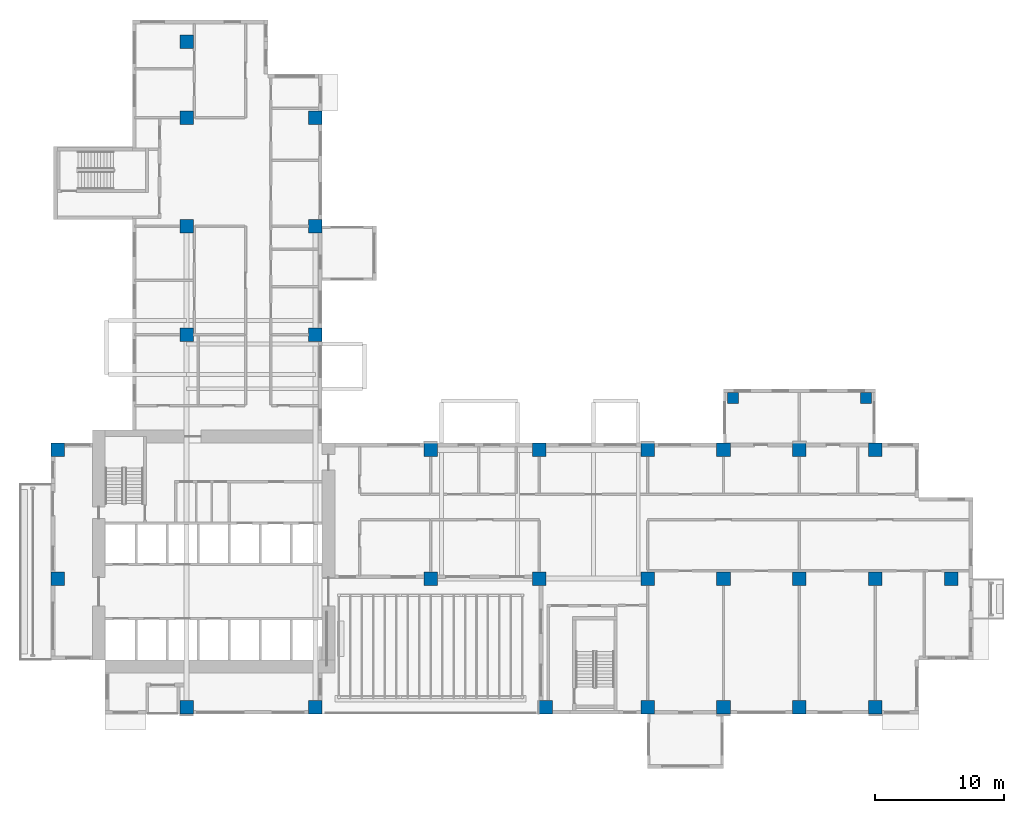
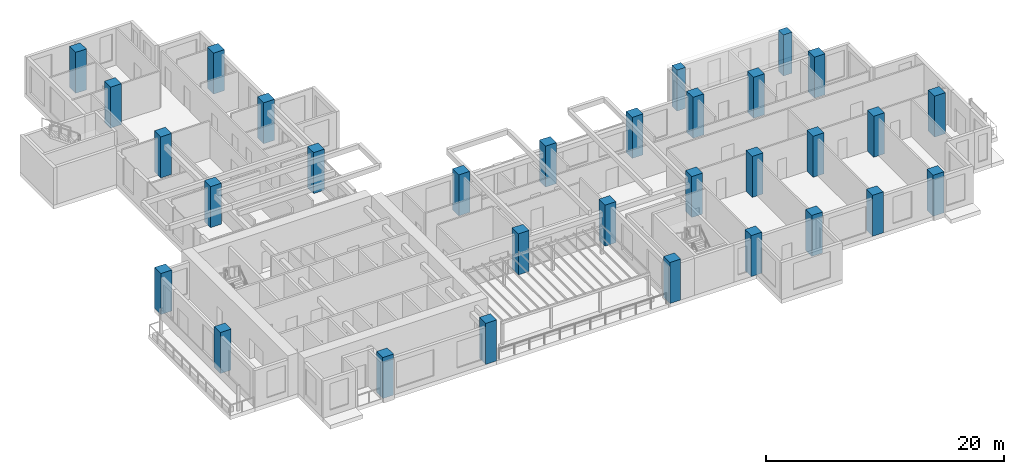
# One storey, part 1 of 15: 31 columns.
"""IFC4 building model written with IfcOpenShell, lengths in metres."""

from ifc_helpers import new_model, si_unit, direction, frame, origin, origin_2d, place, context, subcontext, project, spatial, rectangle, extrude, source, transform, mapped, material, material_profile, profile_set, type_object, element, save


model = new_model("IFC4")

# Units and contexts
model_context = context("Model", 3, precision=1e-05, world=origin(), true_north=direction((0.0, 1.0)))
body_context = subcontext(model_context, "Body", "Model", "MODEL_VIEW")
ifc_project = project(units=[si_unit("LENGTHUNIT", "METRE"), si_unit("AREAUNIT", "SQUARE_METRE"), si_unit("VOLUMEUNIT", "CUBIC_METRE"), si_unit("PLANEANGLEUNIT", "RADIAN"), si_unit("MASSUNIT", "GRAM", prefix="KILO")], contexts=[model_context])

# Site, building, storey
site_placement = place(None, origin())
site = spatial("IfcSite", under=ifc_project, at=site_placement, CompositionType="ELEMENT")
building_placement = place(site_placement, origin())
building = spatial("IfcBuilding", under=site, at=building_placement, Name="Aurelian Terraces", CompositionType="ELEMENT")
storey_placement = place(building_placement, frame((0.0, 0.0, 145.5)))
storey = spatial("IfcBuildingStorey", under=building, at=storey_placement, Name="L32", CompositionType="ELEMENT", Elevation=145.5)

# Columns
ifc_material_1 = material(Name="Concrete fc' 83 MPa", Category="concrete")
ifc_material_profile_1 = material_profile(ifc_material_1, rectangle(XDim=1.05, YDim=1.05, at=origin_2d()))
ifc_profile_set_1 = profile_set([ifc_material_profile_1], Name="Concrete fc' 83 MPa")
column_type_1 = type_object("IfcColumnType", Name="RC COLUMN 1050X1050 FC83", PredefinedType="COLUMN", material=ifc_profile_set_1)
shared_shape_1 = source(origin(), body_context, "Body", "SweptSolid", [
    extrude(rectangle(XDim=1.05, YDim=1.05, at=origin_2d()), origin(), (0.0, 0.0, 1.0), 4.2),
])
for number, where, z_axis, x_axis, name in (
    (1, (10.5, 0.525, 0.0), (0.0, 0.0, 1.0), (1.0, 0.0, 0.0), "Column 2/A L32"),
    (2, (20.475, 0.525, 0.0), (0.0, 0.0, 1.0), (1.0, 0.0, 0.0), "Column 3/A L32"),
    (3, (38.325, 0.525, 0.0), (0.0, 0.0, 1.0), (1.0, 0.0, 0.0), "Column 5/A L32"),
    (4, (46.2, 0.525, 0.0), (0.0, 0.0, 1.0), (1.0, 0.0, 0.0), "Column 6/A L32"),
    (5, (52.08, 0.525, 0.0), (0.0, 0.0, 1.0), (1.0, 0.0, 0.0), "Column 7/A L32"),
    (6, (57.96, 0.525, 0.0), (0.0, 0.0, 1.0), (1.0, 0.0, 0.0), "Column 8/A L32"),
    (7, (63.84, 0.525, 0.0), (0.0, 0.0, 1.0), (1.0, 0.0, 0.0), "Column 9/A L32"),
    (8, (0.525, 10.5, 0.0), (0.0, 0.0, 1.0), (1.0, 0.0, 0.0), "Column 1/B L32"),
    (9, (29.4, 10.5, 0.0), (0.0, 0.0, 1.0), (1.0, 0.0, 0.0), "Column 4/B L32"),
    (10, (37.8, 10.5, 0.0), (0.0, 0.0, 1.0), (1.0, 0.0, 0.0), "Column 5/B L32"),
    (11, (46.2, 10.5, 0.0), (0.0, 0.0, 1.0), (1.0, 0.0, 0.0), "Column 6/B L32"),
    (12, (52.08, 10.5, 0.0), (0.0, 0.0, 1.0), (1.0, 0.0, 0.0), "Column 7/B L32"),
    (13, (57.96, 10.5, 0.0), (0.0, 0.0, 1.0), (1.0, 0.0, 0.0), "Column 8/B L32"),
    (14, (63.84, 10.5, 0.0), (0.0, 0.0, 1.0), (1.0, 0.0, 0.0), "Column 9/B L32"),
    (15, (69.72, 10.5, 0.0), (0.0, 0.0, 1.0), (1.0, 0.0, 0.0), "Column 10/B L32"),
    (16, (0.525, 20.475, 0.0), (0.0, 0.0, 1.0), (1.0, 0.0, 0.0), "Column 1/C L32"),
    (17, (29.4, 20.475, 0.0), (0.0, 0.0, 1.0), (1.0, 0.0, 0.0), "Column 4/C L32"),
    (18, (37.8, 20.475, 0.0), (0.0, 0.0, 1.0), (1.0, 0.0, 0.0), "Column 5/C L32"),
    (19, (46.2, 20.475, 0.0), (0.0, 0.0, 1.0), (1.0, 0.0, 0.0), "Column 6/C L32"),
    (20, (52.08, 20.475, 0.0), (0.0, 0.0, 1.0), (1.0, 0.0, 0.0), "Column 7/C L32"),
    (21, (57.96, 20.475, 0.0), (0.0, 0.0, 1.0), (1.0, 0.0, 0.0), "Column 8/C L32"),
    (22, (63.84, 20.475, 0.0), (0.0, 0.0, 1.0), (1.0, 0.0, 0.0), "Column 9/C L32"),
    (23, (10.5, 29.4, 0.0), (0.0, 0.0, 1.0), (1.0, 0.0, 0.0), "Column 2/D L32"),
    (24, (20.475, 29.4, 0.0), (0.0, 0.0, 1.0), (1.0, 0.0, 0.0), "Column 3/D L32"),
    (25, (10.5, 37.8, 0.0), (0.0, 0.0, 1.0), (1.0, 0.0, 0.0), "Column 2/E L32"),
    (26, (20.475, 37.8, 0.0), (0.0, 0.0, 1.0), (1.0, 0.0, 0.0), "Column 3/E L32"),
    (27, (10.5, 46.2, 0.0), (0.0, 0.0, 1.0), (1.0, 0.0, 0.0), "Column 2/F L32"),
    (28, (20.475, 46.2, 0.0), (0.0, 0.0, 1.0), (1.0, 0.0, 0.0), "Column 3/F L32"),
    (29, (10.5, 52.08, 0.0), (0.0, 0.0, 1.0), (1.0, 0.0, 0.0), "Column 2/G L32"),
):
    element("IfcColumn", number, at=place(storey_placement, frame(where, z_axis=z_axis, x_axis=x_axis)), inside=storey, type_object=column_type_1, Name=name, PredefinedType="COLUMN", context=body_context, shape_type="MappedRepresentation", body=[
        mapped(shared_shape_1, transform((0.0, 0.0, 0.0), scale=1.0)),
    ])
ifc_material_2 = material(Name="Concrete fc' 55 MPa", Category="concrete")
ifc_material_profile_2 = material_profile(ifc_material_2, rectangle(XDim=0.84, YDim=0.84, at=origin_2d()))
ifc_profile_set_2 = profile_set([ifc_material_profile_2], Name="Concrete fc' 55 MPa")
column_type_2 = type_object("IfcColumnType", Name="BLOCK CORNER PIER 840X840", PredefinedType="COLUMN", material=ifc_profile_set_2)
shared_shape_2 = source(origin(), body_context, "Body", "SweptSolid", [
    extrude(rectangle(XDim=0.84, YDim=0.84, at=origin_2d()), origin(), (0.0, 0.0, 1.0), 4.2),
])
for number, where, z_axis, x_axis, name in (
    (30, (52.805, 24.48, 0.0), (0.0, 0.0, 1.0), (1.0, 0.0, 0.0), "Block pier K02.1 L32"),
    (31, (63.115, 24.48, 0.0), (0.0, 0.0, 1.0), (1.0, 0.0, 0.0), "Block pier K02.2 L32"),
):
    element("IfcColumn", number, at=place(storey_placement, frame(where, z_axis=z_axis, x_axis=x_axis)), inside=storey, type_object=column_type_2, Name=name, PredefinedType="COLUMN", context=body_context, shape_type="MappedRepresentation", body=[
        mapped(shared_shape_2, transform((0.0, 0.0, 0.0), scale=1.0)),
    ])

save(model, "model.ifc")
